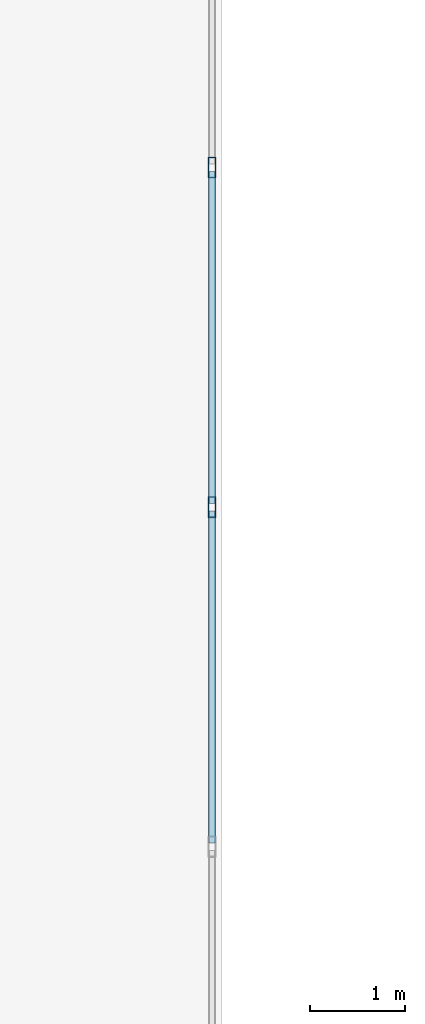
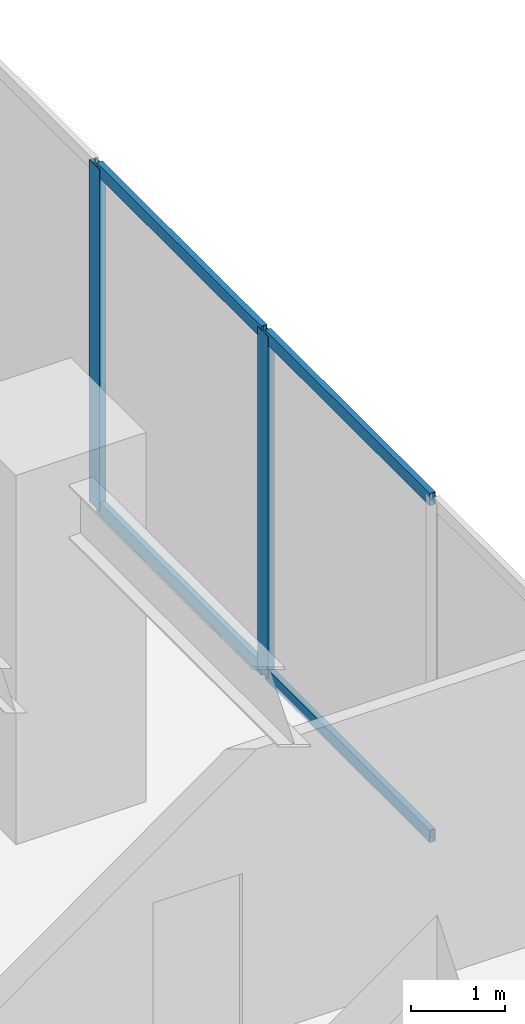
# One storey, part 14 of 32: 6 members, 1 element without a shape of its own.
"""IFC4 building model written with IfcOpenShell, lengths in metres."""

from ifc_helpers import new_model, si_unit, direction, frame, origin, origin_2d, place, context, subcontext, project, spatial, hollow_rectangle, extrude, source, transform, mapped, material, layer, layer_set, material_profile, profile_set, type_object, type_shapes, element, aggregate, save


model = new_model("IFC4")

# Units and contexts
model_context = context("Model", 3, precision=1e-05, world=origin(), true_north=direction((0.0, 1.0)))
body_context = subcontext(model_context, "Body", "Model", "MODEL_VIEW")
ifc_project = project(units=[si_unit("LENGTHUNIT", "METRE"), si_unit("AREAUNIT", "SQUARE_METRE"), si_unit("VOLUMEUNIT", "CUBIC_METRE"), si_unit("PLANEANGLEUNIT", "RADIAN"), si_unit("MASSUNIT", "GRAM", prefix="KILO")], contexts=[model_context])

# Site, building, storey
site_placement = place(None, origin())
site = spatial("IfcSite", under=ifc_project, at=site_placement, CompositionType="ELEMENT")
building_placement = place(site_placement, origin())
building = spatial("IfcBuilding", under=site, at=building_placement, Name="Haelvirn Gate Laboratories", CompositionType="ELEMENT")
storey_placement = place(building_placement, frame((0.0, 0.0, 5.39990234375)))
storey = spatial("IfcBuildingStorey", under=building, at=storey_placement, Name="L02", CompositionType="ELEMENT", Elevation=5.39990234375)

# Curtain wall, members
ifc_material_1 = material(Name="Anodised bronze unitised aluminium & triple low-E glass", Category="aluminium")
ifc_layer = layer(ifc_material_1, 0.18798828125, Name="CW-SYS-1")
ifc_layer_set = layer_set([ifc_layer], Name="Anodised bronze unitised aluminium & triple low-E glass")
curtain_wall_type = type_object("IfcCurtainWallType", Name="CW-SYS-1", PredefinedType="NOTDEFINED", material=ifc_layer_set)
curtain_wall_placement = place(storey_placement, origin())
curtain_wall = element("IfcCurtainWall", 1, at=curtain_wall_placement, inside=storey, type_object=curtain_wall_type, Name="L02 Unitised Curtain Wall CW-L02-P0-E01", PredefinedType="NOTDEFINED")
ifc_material_2 = material(Name="Extruded aluminium 6063-T6 (anodised bronze)", Category="aluminium")
ifc_material_profile_1 = material_profile(ifc_material_2, hollow_rectangle(XDim=0.080078125, YDim=0.219970703125, WallThickness=0.006103515625, at=origin_2d()), Name="CWM-220x80x6")
ifc_profile_set_1 = profile_set([ifc_material_profile_1], Name="Extruded aluminium 6063-T6 (anodised bronze)")
member_type_1 = type_object("IfcMemberType", Name="CWM-T220", PredefinedType="MULLION", material=ifc_profile_set_1)
shared_shape_1 = source(origin(), body_context, "Body", "SweptSolid", [
    extrude(hollow_rectangle(XDim=0.080078125, YDim=0.219970703125, WallThickness=0.006103515625, at=origin_2d()), origin(), (0.0, 0.0, 1.0), 4.4501953125),
])
type_shapes(member_type_1, [shared_shape_1])
member_1_placement = place(storey_placement, frame((25.300048828125, 42.228515625, 0.0), z_axis=(0.0, 0.0, 1.0), x_axis=(-1.0, 0.0, 0.0)))
member_1 = element("IfcMember", 2, at=member_1_placement, type_object=member_type_1, Name="CW1 mullion 13", PredefinedType="MULLION", context=body_context, shape_type="MappedRepresentation", body=[
    mapped(shared_shape_1, transform((0.0, 0.0, 0.0), scale=1.0)),
])
member_2_placement = place(storey_placement, frame((25.300048828125, 45.814208984375, 0.0), z_axis=(0.0, 0.0, 1.0), x_axis=(-1.0, 0.0, 0.0)))
member_2 = element("IfcMember", 3, at=member_2_placement, type_object=member_type_1, Name="CW1 mullion 14", PredefinedType="MULLION", context=body_context, shape_type="MappedRepresentation", body=[
    mapped(shared_shape_1, transform((0.0, 0.0, 0.0), scale=1.0)),
])
ifc_material_profile_2 = material_profile(ifc_material_2, hollow_rectangle(XDim=0.070068359375, YDim=0.159912109375, WallThickness=0.0048828125, at=origin_2d()), Name="CWT-160x70x5")
ifc_profile_set_2 = profile_set([ifc_material_profile_2], Name="Extruded aluminium 6063-T6 (anodised bronze)")
member_type_2 = type_object("IfcMemberType", Name="CWT-T160", PredefinedType="USERDEFINED", material=ifc_profile_set_2)
shared_shape_2 = source(origin(), body_context, "Body", "SweptSolid", [
    extrude(hollow_rectangle(XDim=0.070068359375, YDim=0.159912109375, WallThickness=0.0048828125, at=origin_2d()), origin(), (0.0, 0.0, 1.0), 3.505615234375),
])
type_shapes(member_type_2, [shared_shape_2])
member_3_placement = place(storey_placement, frame((25.300048828125, 38.682861328125, 0.03515625), z_axis=(0.0, 1.0, 0.0), x_axis=(-1.0, 0.0, 0.0)))
member_3 = element("IfcMember", 4, at=member_3_placement, type_object=member_type_2, Name="CW1 transom 12.1", ObjectType="TRANSOM", PredefinedType="USERDEFINED", context=body_context, shape_type="MappedRepresentation", body=[
    mapped(shared_shape_2, transform((0.0, 0.0, 0.0), scale=1.0)),
])
member_4_placement = place(storey_placement, frame((25.300048828125, 38.682861328125, 4.4150390625), z_axis=(0.0, 1.0, 0.0), x_axis=(-1.0, 0.0, 0.0)))
member_4 = element("IfcMember", 5, at=member_4_placement, type_object=member_type_2, Name="CW1 transom 12.2", ObjectType="TRANSOM", PredefinedType="USERDEFINED", context=body_context, shape_type="MappedRepresentation", body=[
    mapped(shared_shape_2, transform((0.0, 0.0, 0.0), scale=1.0)),
])
member_5_placement = place(storey_placement, frame((25.300048828125, 42.2685546875, 0.03515625), z_axis=(0.0, 1.0, 0.0), x_axis=(-1.0, 0.0, 0.0)))
member_5 = element("IfcMember", 6, at=member_5_placement, type_object=member_type_2, Name="CW1 transom 13.1", ObjectType="TRANSOM", PredefinedType="USERDEFINED", context=body_context, shape_type="MappedRepresentation", body=[
    mapped(shared_shape_2, transform((0.0, 0.0, 0.0), scale=1.0)),
])
member_6_placement = place(storey_placement, frame((25.300048828125, 42.2685546875, 4.4150390625), z_axis=(0.0, 1.0, 0.0), x_axis=(-1.0, 0.0, 0.0)))
member_6 = element("IfcMember", 7, at=member_6_placement, type_object=member_type_2, Name="CW1 transom 13.2", ObjectType="TRANSOM", PredefinedType="USERDEFINED", context=body_context, shape_type="MappedRepresentation", body=[
    mapped(shared_shape_2, transform((0.0, 0.0, 0.0), scale=1.0)),
])
aggregate(curtain_wall, [member_1, member_2, member_3, member_4, member_5, member_6])

save(model, "model.ifc")
